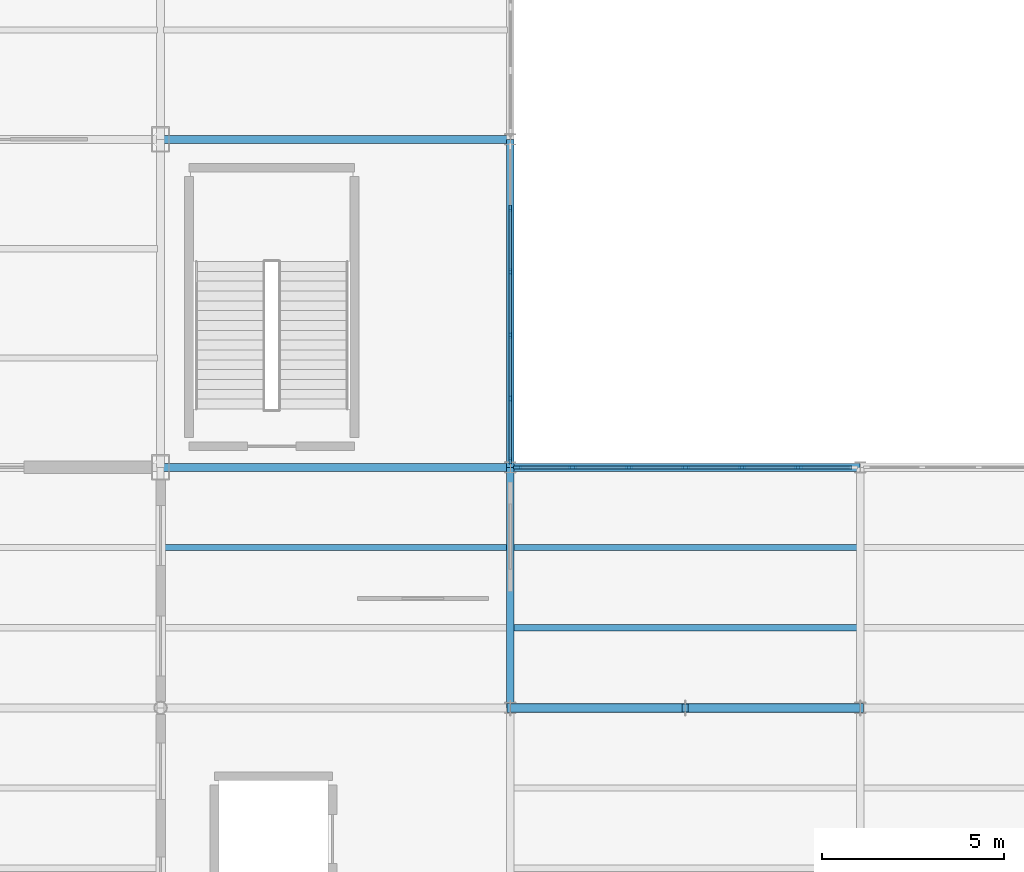
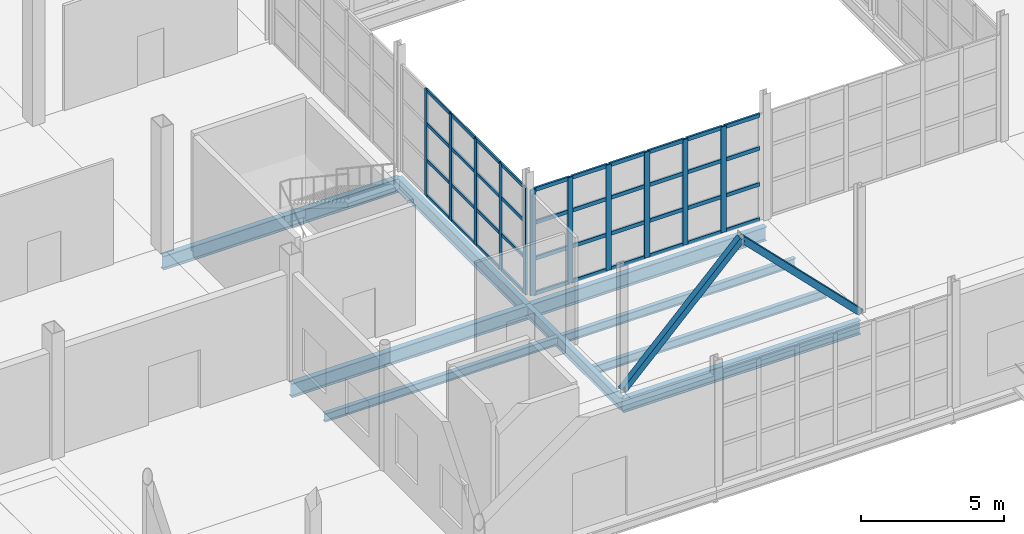
# One storey, part 35 of 85: 53 members, 9 beams, 2 elements without a shape of their own.
"""IFC4 building model written with IfcOpenShell, lengths in metres."""

from ifc_helpers import new_model, si_unit, direction, frame, origin, origin_2d, place, context, subcontext, project, spatial, rectangle, hollow_rectangle, i_section, extrude, material, layer, layer_set, material_profile, profile_set, type_object, element, aggregate, save


model = new_model("IFC4")

# Units and contexts
model_context = context("Model", 3, precision=1e-05, world=origin(), true_north=direction((0.0, 1.0)))
body_context = subcontext(model_context, "Body", "Model", "MODEL_VIEW")
ifc_project = project(units=[si_unit("LENGTHUNIT", "METRE"), si_unit("AREAUNIT", "SQUARE_METRE"), si_unit("VOLUMEUNIT", "CUBIC_METRE"), si_unit("PLANEANGLEUNIT", "RADIAN"), si_unit("MASSUNIT", "GRAM", prefix="KILO")], contexts=[model_context])

# Site, building, storey
site_placement = place(None, origin())
site = spatial("IfcSite", under=ifc_project, at=site_placement, CompositionType="ELEMENT")
building_placement = place(site_placement, origin())
building = spatial("IfcBuilding", under=site, at=building_placement, Name="Zarnetskaya Central Station", CompositionType="ELEMENT")
storey_placement = place(building_placement, origin())
storey = spatial("IfcBuildingStorey", under=building, at=storey_placement, Name="L00", CompositionType="ELEMENT", Elevation=0.0)

# Beams
ifc_material_1 = material(Name="Steel S355", Category="steel")
ifc_material_profile_1 = material_profile(ifc_material_1, i_section(OverallWidth=0.169921875, OverallDepth=0.360107421875, WebThickness=0.008056640625, FlangeThickness=0.0126953125, FilletRadius=0.01806640625, at=origin_2d()), Name="IPE 360")
ifc_profile_set_1 = profile_set([ifc_material_profile_1], Name="Steel S355")
beam_type_1 = type_object("IfcBeamType", Name="BM-SEC-360", PredefinedType="BEAM", material=ifc_profile_set_1)
beam_1_placement = place(storey_placement, frame((124.8798828125, 11.0, -0.5), z_axis=(1.0, 0.0, 0.0), x_axis=(0.0, 1.0, 0.0)))
element("IfcBeam", 1, at=beam_1_placement, inside=storey, type_object=beam_type_1, Name="Secondary floor beam SEC-L00-Z32-PQ-23-2", PredefinedType="BEAM", context=body_context, shape_type="SweptSolid", body=[
    extrude(i_section(OverallWidth=0.169921875, OverallDepth=0.360107421875, WebThickness=0.008056640625, FlangeThickness=0.0126953125, FilletRadius=0.01806640625, at=origin_2d()), origin(), (0.0, 0.0, 1.0), 9.440185546875),
])
for number, where, z_axis, x_axis, name in (
    (2, (134.47998046875, 8.800048828125, -0.5), (1.0, 0.0, 0.0), (0.0, 1.0, 0.0), "Secondary floor beam SEC-L00-Z32-QR-23-1"),
    (3, (134.47998046875, 11.0, -0.5), (1.0, 0.0, 0.0), (0.0, 1.0, 0.0), "Secondary floor beam SEC-L00-Z32-QR-23-2"),
):
    element("IfcBeam", number, at=place(storey_placement, frame(where, z_axis=z_axis, x_axis=x_axis)), inside=storey, type_object=beam_type_1, Name=name, PredefinedType="BEAM", context=body_context, shape_type="SweptSolid", body=[
        extrude(i_section(OverallWidth=0.169921875, OverallDepth=0.360107421875, WebThickness=0.008056640625, FlangeThickness=0.0126953125, FilletRadius=0.01806640625, at=origin_2d()), origin(), (0.0, 0.0, 1.0), 9.43994140625),
    ])

# Curtain wall, members
ifc_material_2 = material(Name="Low-E insulated glass", Category="glass")
ifc_layer = layer(ifc_material_2, 0.172119140625, Name="Low-E insulated glass", Category="glass")
ifc_layer_set = layer_set([ifc_layer], Name="Low-E insulated glass")
curtain_wall_type = type_object("IfcCurtainWallType", Name="CW-SYS-04", PredefinedType="USERDEFINED", material=ifc_layer_set)
curtain_wall_1_placement = place(storey_placement, origin())
curtain_wall_1 = element("IfcCurtainWall", 4, at=curtain_wall_1_placement, inside=storey, type_object=curtain_wall_type, Name="Curtain wall CW-L00-109", ObjectType="CURTAIN WALL", PredefinedType="USERDEFINED")
ifc_material_3 = material(Name="Anodised aluminium", Category="aluminium")
ifc_material_profile_2 = material_profile(ifc_material_3, rectangle(XDim=0.070068359375, YDim=0.179931640625, at=origin_2d()), Name="ALU MULL 70x180")
ifc_profile_set_2 = profile_set([ifc_material_profile_2], Name="Anodised aluminium")
member_type_1 = type_object("IfcMemberType", Name="CW-MULL-180", PredefinedType="MULLION", material=ifc_profile_set_2)
member_1_placement = place(storey_placement, frame((134.39990234375, 20.31005859375, 0.0), z_axis=(0.0, 0.0, 1.0), x_axis=(1.0, 0.0, 0.0)))
member_1 = element("IfcMember", 5, at=member_1_placement, type_object=member_type_1, Name="CW-15 mullion 2", PredefinedType="MULLION", context=body_context, shape_type="SweptSolid", body=[
    extrude(rectangle(XDim=0.070068359375, YDim=0.179931640625, at=origin_2d()), origin(), (0.0, 0.0, 1.0), 4.570068359375),
])
member_2_placement = place(storey_placement, frame((134.39990234375, 18.570068359375, 0.0), z_axis=(0.0, 0.0, 1.0), x_axis=(1.0, 0.0, 0.0)))
member_2 = element("IfcMember", 6, at=member_2_placement, type_object=member_type_1, Name="CW-15 mullion 3", PredefinedType="MULLION", context=body_context, shape_type="SweptSolid", body=[
    extrude(rectangle(XDim=0.070068359375, YDim=0.179931640625, at=origin_2d()), origin(), (0.0, 0.0, 1.0), 4.570068359375),
])
member_3_placement = place(storey_placement, frame((134.39990234375, 16.830078125, 0.0), z_axis=(0.0, 0.0, 1.0), x_axis=(1.0, 0.0, 0.0)))
member_3 = element("IfcMember", 7, at=member_3_placement, type_object=member_type_1, Name="CW-15 mullion 4", PredefinedType="MULLION", context=body_context, shape_type="SweptSolid", body=[
    extrude(rectangle(XDim=0.070068359375, YDim=0.179931640625, at=origin_2d()), origin(), (0.0, 0.0, 1.0), 4.570068359375),
])
member_4_placement = place(storey_placement, frame((134.39990234375, 15.090087890625, 0.0), z_axis=(0.0, 0.0, 1.0), x_axis=(1.0, 0.0, 0.0)))
member_4 = element("IfcMember", 8, at=member_4_placement, type_object=member_type_1, Name="CW-15 mullion 5", PredefinedType="MULLION", context=body_context, shape_type="SweptSolid", body=[
    extrude(rectangle(XDim=0.070068359375, YDim=0.179931640625, at=origin_2d()), origin(), (0.0, 0.0, 1.0), 4.570068359375),
])
member_5_placement = place(storey_placement, frame((134.39990234375, 13.385009765625, 0.0), z_axis=(0.0, 0.0, 1.0), x_axis=(1.0, 0.0, 0.0)))
member_5 = element("IfcMember", 9, at=member_5_placement, type_object=member_type_1, Name="CW-15 mullion 6", PredefinedType="MULLION", context=body_context, shape_type="SweptSolid", body=[
    extrude(rectangle(XDim=0.070068359375, YDim=0.179931640625, at=origin_2d()), origin(), (0.0, 0.0, 1.0), 4.570068359375),
])

curtain_wall_2_placement = place(storey_placement, origin())
curtain_wall_2 = element("IfcCurtainWall", 10, at=curtain_wall_2_placement, inside=storey, type_object=curtain_wall_type, Name="Curtain wall CW-L00-102", ObjectType="CURTAIN WALL", PredefinedType="USERDEFINED")
ifc_material_profile_3 = material_profile(ifc_material_3, rectangle(XDim=0.080078125, YDim=0.219970703125, at=origin_2d()), Name="ALU MULL 80x220")
ifc_profile_set_3 = profile_set([ifc_material_profile_3], Name="Anodised aluminium")
member_type_2 = type_object("IfcMemberType", Name="CW-MULL-220", PredefinedType="MULLION", material=ifc_profile_set_3)
member_6_placement = place(storey_placement, frame((134.590087890625, 13.199951171875, 0.0), z_axis=(0.0, 0.0, 1.0), x_axis=(0.0, 1.0, 0.0)))
member_6 = element("IfcMember", 11, at=member_6_placement, type_object=member_type_2, Name="CW-15 mullion 1", PredefinedType="MULLION", context=body_context, shape_type="SweptSolid", body=[
    extrude(rectangle(XDim=0.080078125, YDim=0.219970703125, at=origin_2d()), origin(), (0.0, 0.0, 1.0), 4.52001953125),
])
member_7_placement = place(storey_placement, frame((136.10009765625, 13.199951171875, 0.0), z_axis=(0.0, 0.0, 1.0), x_axis=(0.0, 1.0, 0.0)))
member_7 = element("IfcMember", 12, at=member_7_placement, type_object=member_type_2, Name="CW-15 mullion 2", PredefinedType="MULLION", context=body_context, shape_type="SweptSolid", body=[
    extrude(rectangle(XDim=0.080078125, YDim=0.219970703125, at=origin_2d()), origin(), (0.0, 0.0, 1.0), 4.52001953125),
])
member_8_placement = place(storey_placement, frame((137.64990234375, 13.199951171875, 0.0), z_axis=(0.0, 0.0, 1.0), x_axis=(0.0, 1.0, 0.0)))
member_8 = element("IfcMember", 13, at=member_8_placement, type_object=member_type_2, Name="CW-15 mullion 3", PredefinedType="MULLION", context=body_context, shape_type="SweptSolid", body=[
    extrude(rectangle(XDim=0.080078125, YDim=0.219970703125, at=origin_2d()), origin(), (0.0, 0.0, 1.0), 4.52001953125),
])
member_9_placement = place(storey_placement, frame((139.199951171875, 13.199951171875, 0.0), z_axis=(0.0, 0.0, 1.0), x_axis=(0.0, 1.0, 0.0)))
member_9 = element("IfcMember", 14, at=member_9_placement, type_object=member_type_2, Name="CW-15 mullion 4", PredefinedType="MULLION", context=body_context, shape_type="SweptSolid", body=[
    extrude(rectangle(XDim=0.080078125, YDim=0.219970703125, at=origin_2d()), origin(), (0.0, 0.0, 1.0), 4.52001953125),
])
member_10_placement = place(storey_placement, frame((140.75, 13.199951171875, 0.0), z_axis=(0.0, 0.0, 1.0), x_axis=(0.0, 1.0, 0.0)))
member_10 = element("IfcMember", 15, at=member_10_placement, type_object=member_type_2, Name="CW-15 mullion 5", PredefinedType="MULLION", context=body_context, shape_type="SweptSolid", body=[
    extrude(rectangle(XDim=0.080078125, YDim=0.219970703125, at=origin_2d()), origin(), (0.0, 0.0, 1.0), 4.52001953125),
])
member_11_placement = place(storey_placement, frame((142.300048828125, 13.199951171875, 0.0), z_axis=(0.0, 0.0, 1.0), x_axis=(0.0, 1.0, 0.0)))
member_11 = element("IfcMember", 16, at=member_11_placement, type_object=member_type_2, Name="CW-15 mullion 6", PredefinedType="MULLION", context=body_context, shape_type="SweptSolid", body=[
    extrude(rectangle(XDim=0.080078125, YDim=0.219970703125, at=origin_2d()), origin(), (0.0, 0.0, 1.0), 4.52001953125),
])

# Member
ifc_material_profile_4 = material_profile(ifc_material_3, rectangle(XDim=0.070068359375, YDim=0.139892578125, at=origin_2d()), Name="ALU TRAN 70x140")
ifc_profile_set_4 = profile_set([ifc_material_profile_4], Name="Anodised aluminium")
member_type_3 = type_object("IfcMemberType", Name="CW-TRAN-140", PredefinedType="USERDEFINED", material=ifc_profile_set_4)
member_12_placement = place(storey_placement, frame((134.39990234375, 20.27490234375, 0.034912109375), z_axis=(0.0, -1.0, 0.0), x_axis=(1.0, 0.0, 0.0)))
member_12 = element("IfcMember", 17, at=member_12_placement, type_object=member_type_3, Name="CW-15 transom 2.1", ObjectType="TRANSOM", PredefinedType="USERDEFINED", context=body_context, shape_type="SweptSolid", body=[
    extrude(rectangle(XDim=0.070068359375, YDim=0.139892578125, at=origin_2d()), origin(), (0.0, 0.0, 1.0), 1.669921875),
])

member_13_placement = place(storey_placement, frame((134.39990234375, 20.27490234375, 1.553955078125), z_axis=(0.0, -1.0, 0.0), x_axis=(1.0, 0.0, 0.0)))
member_13 = element("IfcMember", 18, at=member_13_placement, type_object=member_type_3, Name="CW-15 transom 2.2", ObjectType="TRANSOM", PredefinedType="USERDEFINED", context=body_context, shape_type="SweptSolid", body=[
    extrude(rectangle(XDim=0.070068359375, YDim=0.139892578125, at=origin_2d()), origin(), (0.0, 0.0, 1.0), 1.669921875),
])

member_14_placement = place(storey_placement, frame((134.39990234375, 20.27490234375, 3.10791015625), z_axis=(0.0, -1.0, 0.0), x_axis=(1.0, 0.0, 0.0)))
member_14 = element("IfcMember", 19, at=member_14_placement, type_object=member_type_3, Name="CW-15 transom 2.3", ObjectType="TRANSOM", PredefinedType="USERDEFINED", context=body_context, shape_type="SweptSolid", body=[
    extrude(rectangle(XDim=0.070068359375, YDim=0.139892578125, at=origin_2d()), origin(), (0.0, 0.0, 1.0), 1.669921875),
])

member_15_placement = place(storey_placement, frame((134.39990234375, 20.27490234375, 4.534912109375), z_axis=(0.0, -1.0, 0.0), x_axis=(1.0, 0.0, 0.0)))
member_15 = element("IfcMember", 20, at=member_15_placement, type_object=member_type_3, Name="CW-15 transom 2.4", ObjectType="TRANSOM", PredefinedType="USERDEFINED", context=body_context, shape_type="SweptSolid", body=[
    extrude(rectangle(XDim=0.070068359375, YDim=0.139892578125, at=origin_2d()), origin(), (0.0, 0.0, 1.0), 1.669921875),
])

member_16_placement = place(storey_placement, frame((134.39990234375, 18.534912109375, 0.034912109375), z_axis=(0.0, -1.0, 0.0), x_axis=(1.0, 0.0, 0.0)))
member_16 = element("IfcMember", 21, at=member_16_placement, type_object=member_type_3, Name="CW-15 transom 3.1", ObjectType="TRANSOM", PredefinedType="USERDEFINED", context=body_context, shape_type="SweptSolid", body=[
    extrude(rectangle(XDim=0.070068359375, YDim=0.139892578125, at=origin_2d()), origin(), (0.0, 0.0, 1.0), 1.669921875),
])

member_17_placement = place(storey_placement, frame((134.39990234375, 18.534912109375, 1.553955078125), z_axis=(0.0, -1.0, 0.0), x_axis=(1.0, 0.0, 0.0)))
member_17 = element("IfcMember", 22, at=member_17_placement, type_object=member_type_3, Name="CW-15 transom 3.2", ObjectType="TRANSOM", PredefinedType="USERDEFINED", context=body_context, shape_type="SweptSolid", body=[
    extrude(rectangle(XDim=0.070068359375, YDim=0.139892578125, at=origin_2d()), origin(), (0.0, 0.0, 1.0), 1.669921875),
])

member_18_placement = place(storey_placement, frame((134.39990234375, 18.534912109375, 3.10791015625), z_axis=(0.0, -1.0, 0.0), x_axis=(1.0, 0.0, 0.0)))
member_18 = element("IfcMember", 23, at=member_18_placement, type_object=member_type_3, Name="CW-15 transom 3.3", ObjectType="TRANSOM", PredefinedType="USERDEFINED", context=body_context, shape_type="SweptSolid", body=[
    extrude(rectangle(XDim=0.070068359375, YDim=0.139892578125, at=origin_2d()), origin(), (0.0, 0.0, 1.0), 1.669921875),
])

member_19_placement = place(storey_placement, frame((134.39990234375, 18.534912109375, 4.534912109375), z_axis=(0.0, -1.0, 0.0), x_axis=(1.0, 0.0, 0.0)))
member_19 = element("IfcMember", 24, at=member_19_placement, type_object=member_type_3, Name="CW-15 transom 3.4", ObjectType="TRANSOM", PredefinedType="USERDEFINED", context=body_context, shape_type="SweptSolid", body=[
    extrude(rectangle(XDim=0.070068359375, YDim=0.139892578125, at=origin_2d()), origin(), (0.0, 0.0, 1.0), 1.669921875),
])

member_20_placement = place(storey_placement, frame((134.39990234375, 16.794921875, 0.034912109375), z_axis=(0.0, -1.0, 0.0), x_axis=(1.0, 0.0, 0.0)))
member_20 = element("IfcMember", 25, at=member_20_placement, type_object=member_type_3, Name="CW-15 transom 4.1", ObjectType="TRANSOM", PredefinedType="USERDEFINED", context=body_context, shape_type="SweptSolid", body=[
    extrude(rectangle(XDim=0.070068359375, YDim=0.139892578125, at=origin_2d()), origin(), (0.0, 0.0, 1.0), 1.669921875),
])

member_21_placement = place(storey_placement, frame((134.39990234375, 16.794921875, 1.553955078125), z_axis=(0.0, -1.0, 0.0), x_axis=(1.0, 0.0, 0.0)))
member_21 = element("IfcMember", 26, at=member_21_placement, type_object=member_type_3, Name="CW-15 transom 4.2", ObjectType="TRANSOM", PredefinedType="USERDEFINED", context=body_context, shape_type="SweptSolid", body=[
    extrude(rectangle(XDim=0.070068359375, YDim=0.139892578125, at=origin_2d()), origin(), (0.0, 0.0, 1.0), 1.669921875),
])

member_22_placement = place(storey_placement, frame((134.39990234375, 16.794921875, 3.10791015625), z_axis=(0.0, -1.0, 0.0), x_axis=(1.0, 0.0, 0.0)))
member_22 = element("IfcMember", 27, at=member_22_placement, type_object=member_type_3, Name="CW-15 transom 4.3", ObjectType="TRANSOM", PredefinedType="USERDEFINED", context=body_context, shape_type="SweptSolid", body=[
    extrude(rectangle(XDim=0.070068359375, YDim=0.139892578125, at=origin_2d()), origin(), (0.0, 0.0, 1.0), 1.669921875),
])

member_23_placement = place(storey_placement, frame((134.39990234375, 16.794921875, 4.534912109375), z_axis=(0.0, -1.0, 0.0), x_axis=(1.0, 0.0, 0.0)))
member_23 = element("IfcMember", 28, at=member_23_placement, type_object=member_type_3, Name="CW-15 transom 4.4", ObjectType="TRANSOM", PredefinedType="USERDEFINED", context=body_context, shape_type="SweptSolid", body=[
    extrude(rectangle(XDim=0.070068359375, YDim=0.139892578125, at=origin_2d()), origin(), (0.0, 0.0, 1.0), 1.669921875),
])

member_24_placement = place(storey_placement, frame((134.39990234375, 15.054931640625, 0.034912109375), z_axis=(0.0, -1.0, 0.0), x_axis=(1.0, 0.0, 0.0)))
member_24 = element("IfcMember", 29, at=member_24_placement, type_object=member_type_3, Name="CW-15 transom 5.1", ObjectType="TRANSOM", PredefinedType="USERDEFINED", context=body_context, shape_type="SweptSolid", body=[
    extrude(rectangle(XDim=0.070068359375, YDim=0.139892578125, at=origin_2d()), origin(), (0.0, 0.0, 1.0), 1.635009765625),
])

member_25_placement = place(storey_placement, frame((134.39990234375, 15.054931640625, 1.553955078125), z_axis=(0.0, -1.0, 0.0), x_axis=(1.0, 0.0, 0.0)))
member_25 = element("IfcMember", 30, at=member_25_placement, type_object=member_type_3, Name="CW-15 transom 5.2", ObjectType="TRANSOM", PredefinedType="USERDEFINED", context=body_context, shape_type="SweptSolid", body=[
    extrude(rectangle(XDim=0.070068359375, YDim=0.139892578125, at=origin_2d()), origin(), (0.0, 0.0, 1.0), 1.635009765625),
])

member_26_placement = place(storey_placement, frame((134.39990234375, 15.054931640625, 3.10791015625), z_axis=(0.0, -1.0, 0.0), x_axis=(1.0, 0.0, 0.0)))
member_26 = element("IfcMember", 31, at=member_26_placement, type_object=member_type_3, Name="CW-15 transom 5.3", ObjectType="TRANSOM", PredefinedType="USERDEFINED", context=body_context, shape_type="SweptSolid", body=[
    extrude(rectangle(XDim=0.070068359375, YDim=0.139892578125, at=origin_2d()), origin(), (0.0, 0.0, 1.0), 1.635009765625),
])

member_27_placement = place(storey_placement, frame((134.39990234375, 15.054931640625, 4.534912109375), z_axis=(0.0, -1.0, 0.0), x_axis=(1.0, 0.0, 0.0)))
member_27 = element("IfcMember", 32, at=member_27_placement, type_object=member_type_3, Name="CW-15 transom 5.4", ObjectType="TRANSOM", PredefinedType="USERDEFINED", context=body_context, shape_type="SweptSolid", body=[
    extrude(rectangle(XDim=0.070068359375, YDim=0.139892578125, at=origin_2d()), origin(), (0.0, 0.0, 1.0), 1.635009765625),
])

aggregate(curtain_wall_1, [member_1, member_2, member_3, member_4, member_5, member_12, member_13, member_14, member_15, member_16, member_17, member_18, member_19, member_20, member_21, member_22, member_23, member_24, member_25, member_26, member_27])

ifc_material_profile_5 = material_profile(ifc_material_3, rectangle(XDim=0.080078125, YDim=0.159912109375, at=origin_2d()), Name="ALU TRAN 80x160")
ifc_profile_set_5 = profile_set([ifc_material_profile_5], Name="Anodised aluminium")
member_type_4 = type_object("IfcMemberType", Name="CW-TRAN-160", PredefinedType="USERDEFINED", material=ifc_profile_set_5)
member_28_placement = place(storey_placement, frame((134.6298828125, 13.199951171875, 0.0400390625), z_axis=(1.0, 0.0, 0.0), x_axis=(0.0, 1.0, 0.0)))
member_28 = element("IfcMember", 33, at=member_28_placement, type_object=member_type_4, Name="CW-15 transom 1.1", ObjectType="TRANSOM", PredefinedType="USERDEFINED", context=body_context, shape_type="SweptSolid", body=[
    extrude(rectangle(XDim=0.080078125, YDim=0.159912109375, at=origin_2d()), origin(), (0.0, 0.0, 1.0), 1.43017578125),
])

member_29_placement = place(storey_placement, frame((134.6298828125, 13.199951171875, 1.537109375), z_axis=(1.0, 0.0, 0.0), x_axis=(0.0, 1.0, 0.0)))
member_29 = element("IfcMember", 34, at=member_29_placement, type_object=member_type_4, Name="CW-15 transom 1.2", ObjectType="TRANSOM", PredefinedType="USERDEFINED", context=body_context, shape_type="SweptSolid", body=[
    extrude(rectangle(XDim=0.080078125, YDim=0.159912109375, at=origin_2d()), origin(), (0.0, 0.0, 1.0), 1.43017578125),
])

member_30_placement = place(storey_placement, frame((134.6298828125, 13.199951171875, 3.073974609375), z_axis=(1.0, 0.0, 0.0), x_axis=(0.0, 1.0, 0.0)))
member_30 = element("IfcMember", 35, at=member_30_placement, type_object=member_type_4, Name="CW-15 transom 1.3", ObjectType="TRANSOM", PredefinedType="USERDEFINED", context=body_context, shape_type="SweptSolid", body=[
    extrude(rectangle(XDim=0.080078125, YDim=0.159912109375, at=origin_2d()), origin(), (0.0, 0.0, 1.0), 1.43017578125),
])

member_31_placement = place(storey_placement, frame((134.6298828125, 13.199951171875, 4.47998046875), z_axis=(1.0, 0.0, 0.0), x_axis=(0.0, 1.0, 0.0)))
member_31 = element("IfcMember", 36, at=member_31_placement, type_object=member_type_4, Name="CW-15 transom 1.4", ObjectType="TRANSOM", PredefinedType="USERDEFINED", context=body_context, shape_type="SweptSolid", body=[
    extrude(rectangle(XDim=0.080078125, YDim=0.159912109375, at=origin_2d()), origin(), (0.0, 0.0, 1.0), 1.43017578125),
])

member_32_placement = place(storey_placement, frame((136.139892578125, 13.199951171875, 0.0400390625), z_axis=(1.0, 0.0, 0.0), x_axis=(0.0, 1.0, 0.0)))
member_32 = element("IfcMember", 37, at=member_32_placement, type_object=member_type_4, Name="CW-15 transom 2.1", ObjectType="TRANSOM", PredefinedType="USERDEFINED", context=body_context, shape_type="SweptSolid", body=[
    extrude(rectangle(XDim=0.080078125, YDim=0.159912109375, at=origin_2d()), origin(), (0.0, 0.0, 1.0), 1.47021484375),
])

member_33_placement = place(storey_placement, frame((136.139892578125, 13.199951171875, 1.537109375), z_axis=(1.0, 0.0, 0.0), x_axis=(0.0, 1.0, 0.0)))
member_33 = element("IfcMember", 38, at=member_33_placement, type_object=member_type_4, Name="CW-15 transom 2.2", ObjectType="TRANSOM", PredefinedType="USERDEFINED", context=body_context, shape_type="SweptSolid", body=[
    extrude(rectangle(XDim=0.080078125, YDim=0.159912109375, at=origin_2d()), origin(), (0.0, 0.0, 1.0), 1.47021484375),
])

member_34_placement = place(storey_placement, frame((136.139892578125, 13.199951171875, 3.073974609375), z_axis=(1.0, 0.0, 0.0), x_axis=(0.0, 1.0, 0.0)))
member_34 = element("IfcMember", 39, at=member_34_placement, type_object=member_type_4, Name="CW-15 transom 2.3", ObjectType="TRANSOM", PredefinedType="USERDEFINED", context=body_context, shape_type="SweptSolid", body=[
    extrude(rectangle(XDim=0.080078125, YDim=0.159912109375, at=origin_2d()), origin(), (0.0, 0.0, 1.0), 1.47021484375),
])

member_35_placement = place(storey_placement, frame((136.139892578125, 13.199951171875, 4.47998046875), z_axis=(1.0, 0.0, 0.0), x_axis=(0.0, 1.0, 0.0)))
member_35 = element("IfcMember", 40, at=member_35_placement, type_object=member_type_4, Name="CW-15 transom 2.4", ObjectType="TRANSOM", PredefinedType="USERDEFINED", context=body_context, shape_type="SweptSolid", body=[
    extrude(rectangle(XDim=0.080078125, YDim=0.159912109375, at=origin_2d()), origin(), (0.0, 0.0, 1.0), 1.47021484375),
])

member_36_placement = place(storey_placement, frame((137.68994140625, 13.199951171875, 0.0400390625), z_axis=(1.0, 0.0, 0.0), x_axis=(0.0, 1.0, 0.0)))
member_36 = element("IfcMember", 41, at=member_36_placement, type_object=member_type_4, Name="CW-15 transom 3.1", ObjectType="TRANSOM", PredefinedType="USERDEFINED", context=body_context, shape_type="SweptSolid", body=[
    extrude(rectangle(XDim=0.080078125, YDim=0.159912109375, at=origin_2d()), origin(), (0.0, 0.0, 1.0), 1.469970703125),
])

member_37_placement = place(storey_placement, frame((137.68994140625, 13.199951171875, 1.537109375), z_axis=(1.0, 0.0, 0.0), x_axis=(0.0, 1.0, 0.0)))
member_37 = element("IfcMember", 42, at=member_37_placement, type_object=member_type_4, Name="CW-15 transom 3.2", ObjectType="TRANSOM", PredefinedType="USERDEFINED", context=body_context, shape_type="SweptSolid", body=[
    extrude(rectangle(XDim=0.080078125, YDim=0.159912109375, at=origin_2d()), origin(), (0.0, 0.0, 1.0), 1.469970703125),
])

member_38_placement = place(storey_placement, frame((137.68994140625, 13.199951171875, 3.073974609375), z_axis=(1.0, 0.0, 0.0), x_axis=(0.0, 1.0, 0.0)))
member_38 = element("IfcMember", 43, at=member_38_placement, type_object=member_type_4, Name="CW-15 transom 3.3", ObjectType="TRANSOM", PredefinedType="USERDEFINED", context=body_context, shape_type="SweptSolid", body=[
    extrude(rectangle(XDim=0.080078125, YDim=0.159912109375, at=origin_2d()), origin(), (0.0, 0.0, 1.0), 1.469970703125),
])

member_39_placement = place(storey_placement, frame((137.68994140625, 13.199951171875, 4.47998046875), z_axis=(1.0, 0.0, 0.0), x_axis=(0.0, 1.0, 0.0)))
member_39 = element("IfcMember", 44, at=member_39_placement, type_object=member_type_4, Name="CW-15 transom 3.4", ObjectType="TRANSOM", PredefinedType="USERDEFINED", context=body_context, shape_type="SweptSolid", body=[
    extrude(rectangle(XDim=0.080078125, YDim=0.159912109375, at=origin_2d()), origin(), (0.0, 0.0, 1.0), 1.469970703125),
])

member_40_placement = place(storey_placement, frame((139.239990234375, 13.199951171875, 0.0400390625), z_axis=(1.0, 0.0, 0.0), x_axis=(0.0, 1.0, 0.0)))
member_40 = element("IfcMember", 45, at=member_40_placement, type_object=member_type_4, Name="CW-15 transom 4.1", ObjectType="TRANSOM", PredefinedType="USERDEFINED", context=body_context, shape_type="SweptSolid", body=[
    extrude(rectangle(XDim=0.080078125, YDim=0.159912109375, at=origin_2d()), origin(), (0.0, 0.0, 1.0), 1.469970703125),
])

member_41_placement = place(storey_placement, frame((139.239990234375, 13.199951171875, 1.537109375), z_axis=(1.0, 0.0, 0.0), x_axis=(0.0, 1.0, 0.0)))
member_41 = element("IfcMember", 46, at=member_41_placement, type_object=member_type_4, Name="CW-15 transom 4.2", ObjectType="TRANSOM", PredefinedType="USERDEFINED", context=body_context, shape_type="SweptSolid", body=[
    extrude(rectangle(XDim=0.080078125, YDim=0.159912109375, at=origin_2d()), origin(), (0.0, 0.0, 1.0), 1.469970703125),
])

member_42_placement = place(storey_placement, frame((139.239990234375, 13.199951171875, 3.073974609375), z_axis=(1.0, 0.0, 0.0), x_axis=(0.0, 1.0, 0.0)))
member_42 = element("IfcMember", 47, at=member_42_placement, type_object=member_type_4, Name="CW-15 transom 4.3", ObjectType="TRANSOM", PredefinedType="USERDEFINED", context=body_context, shape_type="SweptSolid", body=[
    extrude(rectangle(XDim=0.080078125, YDim=0.159912109375, at=origin_2d()), origin(), (0.0, 0.0, 1.0), 1.469970703125),
])

member_43_placement = place(storey_placement, frame((139.239990234375, 13.199951171875, 4.47998046875), z_axis=(1.0, 0.0, 0.0), x_axis=(0.0, 1.0, 0.0)))
member_43 = element("IfcMember", 48, at=member_43_placement, type_object=member_type_4, Name="CW-15 transom 4.4", ObjectType="TRANSOM", PredefinedType="USERDEFINED", context=body_context, shape_type="SweptSolid", body=[
    extrude(rectangle(XDim=0.080078125, YDim=0.159912109375, at=origin_2d()), origin(), (0.0, 0.0, 1.0), 1.469970703125),
])

member_44_placement = place(storey_placement, frame((140.7900390625, 13.199951171875, 0.0400390625), z_axis=(1.0, 0.0, 0.0), x_axis=(0.0, 1.0, 0.0)))
member_44 = element("IfcMember", 49, at=member_44_placement, type_object=member_type_4, Name="CW-15 transom 5.1", ObjectType="TRANSOM", PredefinedType="USERDEFINED", context=body_context, shape_type="SweptSolid", body=[
    extrude(rectangle(XDim=0.080078125, YDim=0.159912109375, at=origin_2d()), origin(), (0.0, 0.0, 1.0), 1.469970703125),
])

member_45_placement = place(storey_placement, frame((140.7900390625, 13.199951171875, 1.537109375), z_axis=(1.0, 0.0, 0.0), x_axis=(0.0, 1.0, 0.0)))
member_45 = element("IfcMember", 50, at=member_45_placement, type_object=member_type_4, Name="CW-15 transom 5.2", ObjectType="TRANSOM", PredefinedType="USERDEFINED", context=body_context, shape_type="SweptSolid", body=[
    extrude(rectangle(XDim=0.080078125, YDim=0.159912109375, at=origin_2d()), origin(), (0.0, 0.0, 1.0), 1.469970703125),
])

member_46_placement = place(storey_placement, frame((140.7900390625, 13.199951171875, 3.073974609375), z_axis=(1.0, 0.0, 0.0), x_axis=(0.0, 1.0, 0.0)))
member_46 = element("IfcMember", 51, at=member_46_placement, type_object=member_type_4, Name="CW-15 transom 5.3", ObjectType="TRANSOM", PredefinedType="USERDEFINED", context=body_context, shape_type="SweptSolid", body=[
    extrude(rectangle(XDim=0.080078125, YDim=0.159912109375, at=origin_2d()), origin(), (0.0, 0.0, 1.0), 1.469970703125),
])

member_47_placement = place(storey_placement, frame((140.7900390625, 13.199951171875, 4.47998046875), z_axis=(1.0, 0.0, 0.0), x_axis=(0.0, 1.0, 0.0)))
member_47 = element("IfcMember", 52, at=member_47_placement, type_object=member_type_4, Name="CW-15 transom 5.4", ObjectType="TRANSOM", PredefinedType="USERDEFINED", context=body_context, shape_type="SweptSolid", body=[
    extrude(rectangle(XDim=0.080078125, YDim=0.159912109375, at=origin_2d()), origin(), (0.0, 0.0, 1.0), 1.469970703125),
])

member_48_placement = place(storey_placement, frame((142.340087890625, 13.199951171875, 0.0400390625), z_axis=(1.0, 0.0, 0.0), x_axis=(0.0, 1.0, 0.0)))
member_48 = element("IfcMember", 53, at=member_48_placement, type_object=member_type_4, Name="CW-15 transom 6.1", ObjectType="TRANSOM", PredefinedType="USERDEFINED", context=body_context, shape_type="SweptSolid", body=[
    extrude(rectangle(XDim=0.080078125, YDim=0.159912109375, at=origin_2d()), origin(), (0.0, 0.0, 1.0), 1.429931640625),
])

member_49_placement = place(storey_placement, frame((142.340087890625, 13.199951171875, 1.537109375), z_axis=(1.0, 0.0, 0.0), x_axis=(0.0, 1.0, 0.0)))
member_49 = element("IfcMember", 54, at=member_49_placement, type_object=member_type_4, Name="CW-15 transom 6.2", ObjectType="TRANSOM", PredefinedType="USERDEFINED", context=body_context, shape_type="SweptSolid", body=[
    extrude(rectangle(XDim=0.080078125, YDim=0.159912109375, at=origin_2d()), origin(), (0.0, 0.0, 1.0), 1.429931640625),
])

member_50_placement = place(storey_placement, frame((142.340087890625, 13.199951171875, 3.073974609375), z_axis=(1.0, 0.0, 0.0), x_axis=(0.0, 1.0, 0.0)))
member_50 = element("IfcMember", 55, at=member_50_placement, type_object=member_type_4, Name="CW-15 transom 6.3", ObjectType="TRANSOM", PredefinedType="USERDEFINED", context=body_context, shape_type="SweptSolid", body=[
    extrude(rectangle(XDim=0.080078125, YDim=0.159912109375, at=origin_2d()), origin(), (0.0, 0.0, 1.0), 1.429931640625),
])

member_51_placement = place(storey_placement, frame((142.340087890625, 13.199951171875, 4.47998046875), z_axis=(1.0, 0.0, 0.0), x_axis=(0.0, 1.0, 0.0)))
member_51 = element("IfcMember", 56, at=member_51_placement, type_object=member_type_4, Name="CW-15 transom 6.4", ObjectType="TRANSOM", PredefinedType="USERDEFINED", context=body_context, shape_type="SweptSolid", body=[
    extrude(rectangle(XDim=0.080078125, YDim=0.159912109375, at=origin_2d()), origin(), (0.0, 0.0, 1.0), 1.429931640625),
])

aggregate(curtain_wall_2, [member_6, member_7, member_8, member_9, member_10, member_11, member_28, member_29, member_30, member_31, member_32, member_33, member_34, member_35, member_36, member_37, member_38, member_39, member_40, member_41, member_42, member_43, member_44, member_45, member_46, member_47, member_48, member_49, member_50, member_51])

# Beams
ifc_material_profile_6 = material_profile(ifc_material_1, i_section(OverallWidth=0.199951171875, OverallDepth=0.5, WebThickness=0.01025390625, FlangeThickness=0.01611328125, FilletRadius=0.02099609375, at=origin_2d()), Name="IPE 500")
ifc_profile_set_6 = profile_set([ifc_material_profile_6], Name="Steel S355")
beam_type_2 = type_object("IfcBeamType", Name="GD-FLR-500", PredefinedType="USERDEFINED", material=ifc_profile_set_6)
beam_2_placement = place(storey_placement, frame((134.39990234375, 6.60009765625, -0.570068359375), z_axis=(0.0, 1.0, 0.0), x_axis=(-1.0, 0.0, 0.0)))
element("IfcBeam", 57, at=beam_2_placement, inside=storey, type_object=beam_type_2, Name="Grid girder GY-L00-Q-23", ObjectType="GIRDER", PredefinedType="USERDEFINED", context=body_context, shape_type="SweptSolid", body=[
    extrude(i_section(OverallWidth=0.199951171875, OverallDepth=0.5, WebThickness=0.01025390625, FlangeThickness=0.01611328125, FilletRadius=0.02099609375, at=origin_2d()), origin(), (0.0, 0.0, 1.0), 6.599853515625),
])
ifc_material_profile_7 = material_profile(ifc_material_1, i_section(OverallWidth=0.2099609375, OverallDepth=0.550048828125, WebThickness=0.010986328125, FlangeThickness=0.01708984375, FilletRadius=0.02392578125, at=origin_2d()), Name="IPE 550")
ifc_profile_set_7 = profile_set([ifc_material_profile_7], Name="Steel S355")
beam_type_3 = type_object("IfcBeamType", Name="GD-FLR-550", PredefinedType="USERDEFINED", material=ifc_profile_set_7)
beam_3_placement = place(storey_placement, frame((134.39990234375, 13.199951171875, -0.594970703125), z_axis=(0.0, 1.0, 0.0), x_axis=(-1.0, 0.0, 0.0)))
element("IfcBeam", 58, at=beam_3_placement, inside=storey, type_object=beam_type_3, Name="Grid girder GY-L00-Q-34", ObjectType="GIRDER", PredefinedType="USERDEFINED", context=body_context, shape_type="SweptSolid", body=[
    extrude(i_section(OverallWidth=0.2099609375, OverallDepth=0.550048828125, WebThickness=0.010986328125, FlangeThickness=0.01708984375, FilletRadius=0.02392578125, at=origin_2d()), origin(), (0.0, 0.0, 1.0), 9.0),
])
ifc_material_profile_8 = material_profile(ifc_material_1, i_section(OverallWidth=0.219970703125, OverallDepth=0.60009765625, WebThickness=0.011962890625, FlangeThickness=0.01904296875, FilletRadius=0.02392578125, at=origin_2d()), Name="IPE 600")
ifc_profile_set_8 = profile_set([ifc_material_profile_8], Name="Steel S355")
beam_type_4 = type_object("IfcBeamType", Name="GD-FLR-600", PredefinedType="USERDEFINED", material=ifc_profile_set_8)
for number, where, z_axis, x_axis, name in (
    (59, (124.800048828125, 13.199951171875, -0.6201171875), (1.0, 0.0, 0.0), (0.0, 1.0, 0.0), "Grid girder GX-L00-3-PQ"),
    (60, (124.800048828125, 22.199951171875, -0.6201171875), (1.0, 0.0, 0.0), (0.0, 1.0, 0.0), "Grid girder GX-L00-4-PQ"),
):
    element("IfcBeam", number, at=place(storey_placement, frame(where, z_axis=z_axis, x_axis=x_axis)), inside=storey, type_object=beam_type_4, Name=name, ObjectType="GIRDER", PredefinedType="USERDEFINED", context=body_context, shape_type="SweptSolid", body=[
        extrude(i_section(OverallWidth=0.219970703125, OverallDepth=0.60009765625, WebThickness=0.011962890625, FlangeThickness=0.01904296875, FilletRadius=0.02392578125, at=origin_2d()), origin(), (0.0, 0.0, 1.0), 9.599853515625),
    ])
for number, where, z_axis, x_axis, name in (
    (61, (134.39990234375, 6.60009765625, -0.6201171875), (1.0, 0.0, 0.0), (0.0, 1.0, 0.0), "Grid girder GX-L00-2-QR"),
    (62, (134.39990234375, 13.199951171875, -0.6201171875), (1.0, 0.0, 0.0), (0.0, 1.0, 0.0), "Grid girder GX-L00-3-QR"),
):
    element("IfcBeam", number, at=place(storey_placement, frame(where, z_axis=z_axis, x_axis=x_axis)), inside=storey, type_object=beam_type_4, Name=name, ObjectType="GIRDER", PredefinedType="USERDEFINED", context=body_context, shape_type="SweptSolid", body=[
        extrude(i_section(OverallWidth=0.219970703125, OverallDepth=0.60009765625, WebThickness=0.011962890625, FlangeThickness=0.01904296875, FilletRadius=0.02392578125, at=origin_2d()), origin(), (0.0, 0.0, 1.0), 9.60009765625),
    ])

# Members
ifc_material_profile_9 = material_profile(ifc_material_1, hollow_rectangle(XDim=0.25, YDim=0.25, WallThickness=0.012451171875, at=origin_2d()), Name="SHS 250x250x12.5")
ifc_profile_set_9 = profile_set([ifc_material_profile_9], Name="Steel S355")
member_type_5 = type_object("IfcMemberType", Name="MB-CBF-BRACE", PredefinedType="BRACE", material=ifc_profile_set_9)
for number, where, z_axis, x_axis, name in (
    (63, (134.39990234375, 6.60009765625, 0.0), (0.705633759118, 0.0, 0.708576741075), (0.0, 1.0, 0.0), "Concentrically braced frame chevron 3L L00"),
    (64, (144.0, 6.60009765625, 0.0), (-0.705633759118, 0.0, 0.708576741075), (0.0, -1.0, 0.0), "Concentrically braced frame chevron 3R L00"),
):
    element("IfcMember", number, at=place(storey_placement, frame(where, z_axis=z_axis, x_axis=x_axis)), inside=storey, type_object=member_type_5, Name=name, PredefinedType="BRACE", context=body_context, shape_type="SweptSolid", body=[
        extrude(hollow_rectangle(XDim=0.25, YDim=0.25, WallThickness=0.012451171875, at=origin_2d()), origin(), (0.0, 0.0, 1.0), 6.802490234375),
    ])

save(model, "model.ifc")
